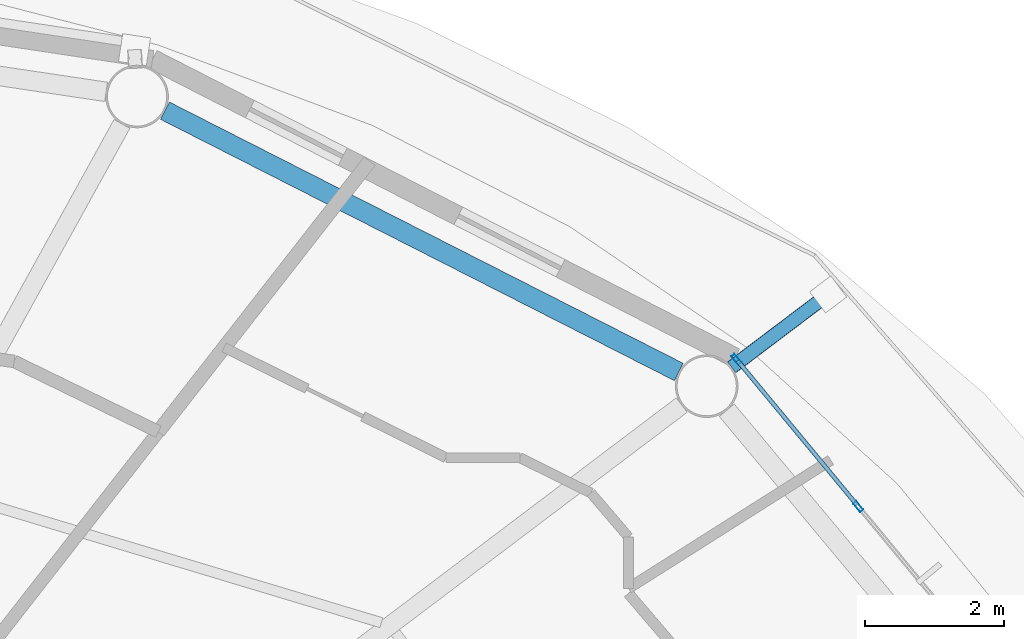
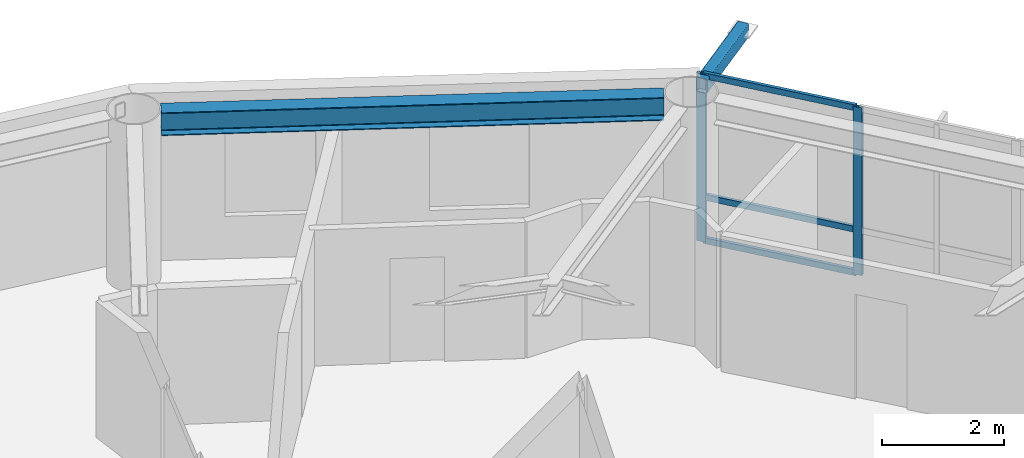
# One storey, part 11 of 22: 6 members, 1 beam, 1 element without a shape of its own.
"""IFC4 building model written with IfcOpenShell, lengths in metres."""

from ifc_helpers import new_model, si_unit, direction, frame, origin, origin_2d, place, context, subcontext, project, spatial, hollow_rectangle, i_section, extrude, material, layer, layer_set, material_profile, profile_set, type_object, element, aggregate, save


model = new_model("IFC4")

# Units and contexts
model_context = context("Model", 3, precision=1e-05, world=origin(), true_north=direction((0.0, 1.0)))
body_context = subcontext(model_context, "Body", "Model", "MODEL_VIEW")
ifc_project = project(units=[si_unit("LENGTHUNIT", "METRE"), si_unit("AREAUNIT", "SQUARE_METRE"), si_unit("VOLUMEUNIT", "CUBIC_METRE"), si_unit("PLANEANGLEUNIT", "RADIAN"), si_unit("MASSUNIT", "GRAM", prefix="KILO")], contexts=[model_context])

# Site, building, storey
site_placement = place(None, origin())
site = spatial("IfcSite", under=ifc_project, at=site_placement, CompositionType="ELEMENT")
building_placement = place(site_placement, origin())
building = spatial("IfcBuilding", under=site, at=building_placement, Name="Sarneth Arch Tower", CompositionType="ELEMENT")
storey_placement = place(building_placement, frame((0.0, 0.0, 305.39990234375)))
storey = spatial("IfcBuildingStorey", under=building, at=storey_placement, Name="L79", CompositionType="ELEMENT", Elevation=305.39990234375)

# Beam
ifc_material_1 = material(Name="Steel S355", Category="steel")
ifc_material_profile_1 = material_profile(ifc_material_1, i_section(OverallWidth=0.280029296875, OverallDepth=0.462890625, WebThickness=0.0107421875, FlangeThickness=0.017333984375, FilletRadius=0.01806640625, at=origin_2d()), Name="W460x113")
ifc_profile_set_1 = profile_set([ifc_material_profile_1], Name="Steel S355")
beam_type = type_object("IfcBeamType", Name="BM-RAD-460A", PredefinedType="BEAM", material=ifc_profile_set_1)
beam_placement = place(storey_placement, frame((65.57421875, 55.780517578125, 3.138671875), z_axis=(-0.891376248079, 0.453264144138, 0.0), x_axis=(-0.453264144138, -0.891376248079, 0.0)))
element("IfcBeam", 1, at=beam_placement, inside=storey, type_object=beam_type, Name="L79 Perimeter spandrel beam 03", PredefinedType="BEAM", context=body_context, shape_type="SweptSolid", body=[
    extrude(i_section(OverallWidth=0.280029296875, OverallDepth=0.462890625, WebThickness=0.0107421875, FlangeThickness=0.017333984375, FilletRadius=0.01806640625, at=origin_2d()), origin(), (0.0, 0.0, 1.0), 8.281982421875),
])

# Curtain wall, members
ifc_material_2 = material(Name="Anodised aluminium Type AA25 and solar-control low-e laminated IGU", Category="aluminium")
ifc_layer = layer(ifc_material_2, 0.179931640625)
ifc_layer_set = layer_set([ifc_layer], Name="Anodised aluminium Type AA25 and solar-control low-e laminated IGU")
curtain_wall_type = type_object("IfcCurtainWallType", Name="CW-RES-HIGH", PredefinedType="NOTDEFINED", material=ifc_layer_set)
curtain_wall_placement = place(storey_placement, origin())
curtain_wall = element("IfcCurtainWall", 2, at=curtain_wall_placement, inside=storey, type_object=curtain_wall_type, Name="L79 Unitised curtain wall facet 02", PredefinedType="NOTDEFINED")
ifc_material_3 = material(Name="Anodised Aluminium 6063-T6", Category="aluminium")
ifc_material_profile_2 = material_profile(ifc_material_3, hollow_rectangle(XDim=0.06005859375, YDim=0.159912109375, WallThickness=0.00390625, at=origin_2d()), Name="AL-MULL-160x60x4")
ifc_profile_set_2 = profile_set([ifc_material_profile_2], Name="Anodised Aluminium 6063-T6")
member_type_1 = type_object("IfcMemberType", Name="CW-MULLION", PredefinedType="MULLION", material=ifc_profile_set_2)
member_1_placement = place(storey_placement, frame((68.15283203125, 53.84765625, 0.0), z_axis=(0.0, 0.0, 1.0), x_axis=(-0.770359245933, -0.637610094184, 0.0)))
member_1 = element("IfcMember", 3, at=member_1_placement, type_object=member_type_1, Name="CW-SYS-6 mullion 3", PredefinedType="MULLION", context=body_context, shape_type="SweptSolid", body=[
    extrude(hollow_rectangle(XDim=0.06005859375, YDim=0.159912109375, WallThickness=0.00390625, at=origin_2d()), origin(), (0.0, 0.0, 1.0), 3.3701171875),
])
member_2_placement = place(storey_placement, frame((66.401611328125, 55.96337890625, 0.0), z_axis=(0.0, 0.0, 1.0), x_axis=(-0.770359245933, -0.637610094184, 0.0)))
member_2 = element("IfcMember", 4, at=member_2_placement, type_object=member_type_1, Name="CW-SYS-6 mullion 4", PredefinedType="MULLION", context=body_context, shape_type="SweptSolid", body=[
    extrude(hollow_rectangle(XDim=0.06005859375, YDim=0.159912109375, WallThickness=0.00390625, at=origin_2d()), origin(), (0.0, 0.0, 1.0), 3.3701171875),
])
ifc_material_4 = material(Name="Anodised Aluminium 6063-T6", Category="aluminium")
ifc_material_profile_3 = material_profile(ifc_material_4, hollow_rectangle(XDim=0.06005859375, YDim=0.1201171875, WallThickness=0.00390625, at=origin_2d()), Name="AL-TRAN-120x60x4")
ifc_profile_set_3 = profile_set([ifc_material_profile_3], Name="Anodised Aluminium 6063-T6")
member_type_2 = type_object("IfcMemberType", Name="CW-TRANSOM", PredefinedType="USERDEFINED", material=ifc_profile_set_3)
member_3_placement = place(storey_placement, frame((68.1337890625, 53.87060546875, 0.030029296875), z_axis=(-0.637606765719, 0.770362000821, 0.0), x_axis=(-0.770362000821, -0.637606765719, 0.0)))
member_3 = element("IfcMember", 5, at=member_3_placement, type_object=member_type_2, Name="CW-SYS-6 transom 3.1", ObjectType="TRANSOM", PredefinedType="USERDEFINED", context=body_context, shape_type="SweptSolid", body=[
    extrude(hollow_rectangle(XDim=0.06005859375, YDim=0.1201171875, WallThickness=0.00390625, at=origin_2d()), origin(), (0.0, 0.0, 1.0), 2.686767578125),
])
member_4_placement = place(storey_placement, frame((68.1337890625, 53.87060546875, 0.900146484375), z_axis=(-0.637606765719, 0.770362000821, 0.0), x_axis=(-0.770362000821, -0.637606765719, 0.0)))
member_4 = element("IfcMember", 6, at=member_4_placement, type_object=member_type_2, Name="CW-SYS-6 transom 3.2", ObjectType="TRANSOM", PredefinedType="USERDEFINED", context=body_context, shape_type="SweptSolid", body=[
    extrude(hollow_rectangle(XDim=0.06005859375, YDim=0.1201171875, WallThickness=0.00390625, at=origin_2d()), origin(), (0.0, 0.0, 1.0), 2.686767578125),
])
member_5_placement = place(storey_placement, frame((68.1337890625, 53.87060546875, 3.340087890625), z_axis=(-0.637606765719, 0.770362000821, 0.0), x_axis=(-0.770362000821, -0.637606765719, 0.0)))
member_5 = element("IfcMember", 7, at=member_5_placement, type_object=member_type_2, Name="CW-SYS-6 transom 3.3", ObjectType="TRANSOM", PredefinedType="USERDEFINED", context=body_context, shape_type="SweptSolid", body=[
    extrude(hollow_rectangle(XDim=0.06005859375, YDim=0.1201171875, WallThickness=0.00390625, at=origin_2d()), origin(), (0.0, 0.0, 1.0), 2.686767578125),
])
aggregate(curtain_wall, [member_1, member_2, member_3, member_4, member_5])

# Member
ifc_material_5 = material(Name="Steel S355", Category="steel")
ifc_material_profile_4 = material_profile(ifc_material_5, hollow_rectangle(XDim=0.199951171875, YDim=0.300048828125, WallThickness=0.012451171875, InnerFilletRadius=0.018798828125, OuterFilletRadius=0.03125, at=origin_2d()), Name="RHS300x200x12.5")
ifc_profile_set_4 = profile_set([ifc_material_profile_4], Name="Steel S355")
member_type_3 = type_object("IfcMemberType", Name="MEM-CANT-STRUT", PredefinedType="STRUT", material=ifc_profile_set_4)
member_6_placement = place(storey_placement, frame((66.334228515625, 55.84765625, 3.210205078125), z_axis=(0.797988961365, 0.602672064676, 0.0), x_axis=(-0.602672064676, 0.797988961365, 0.0)))
element("IfcMember", 8, at=member_6_placement, inside=storey, type_object=member_type_3, Name="L79 Balcony cantilever bracket 03", PredefinedType="STRUT", context=body_context, shape_type="SweptSolid", body=[
    extrude(hollow_rectangle(XDim=0.199951171875, YDim=0.300048828125, WallThickness=0.012451171875, InnerFilletRadius=0.018798828125, OuterFilletRadius=0.03125, at=origin_2d()), origin(), (0.0, 0.0, 1.0), 1.737548828125),
])

save(model, "model.ifc")
